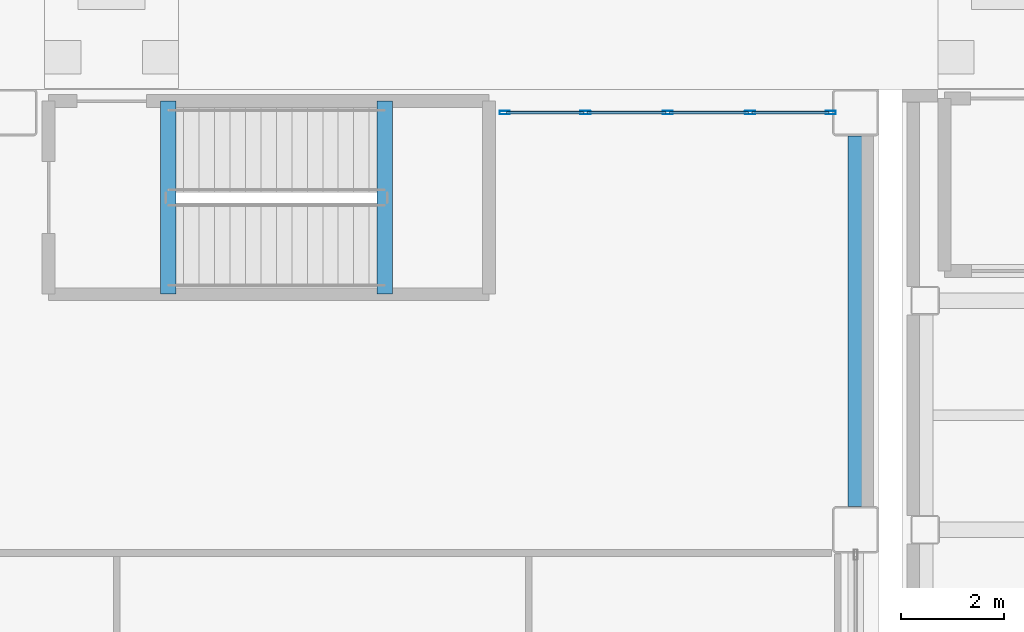
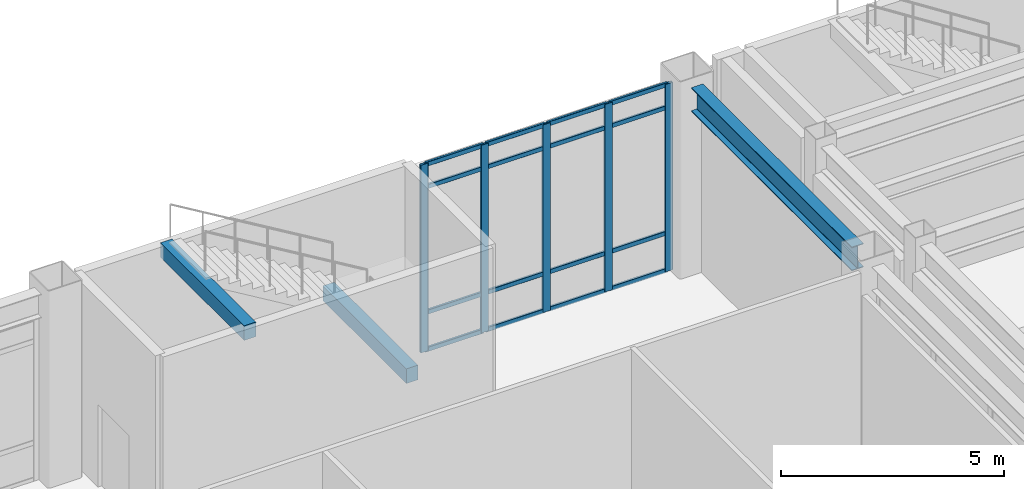
# One storey, part 69 of 165: 21 members, 3 beams, 1 element without a shape of its own.
"""IFC4 building model written with IfcOpenShell, lengths in metres."""

from ifc_helpers import new_model, si_unit, direction, frame, origin, origin_2d, place, context, subcontext, project, spatial, rectangle, hollow_rectangle, i_section, extrude, material, layer, layer_set, material_profile, profile_set, type_object, element, aggregate, save


model = new_model("IFC4")

# Units and contexts
model_context = context("Model", 3, precision=1e-05, world=origin(), true_north=direction((0.0, 1.0)))
body_context = subcontext(model_context, "Body", "Model", "MODEL_VIEW")
ifc_project = project(units=[si_unit("LENGTHUNIT", "METRE"), si_unit("AREAUNIT", "SQUARE_METRE"), si_unit("VOLUMEUNIT", "CUBIC_METRE"), si_unit("PLANEANGLEUNIT", "RADIAN"), si_unit("MASSUNIT", "GRAM", prefix="KILO")], contexts=[model_context])

# Site, building, storey
site_placement = place(None, origin())
site = spatial("IfcSite", under=ifc_project, at=site_placement, CompositionType="ELEMENT")
building_placement = place(site_placement, origin())
building = spatial("IfcBuilding", under=site, at=building_placement, Name="Kazehara Bluff Congress Hotel", CompositionType="ELEMENT")
storey_placement = place(building_placement, origin())
storey = spatial("IfcBuildingStorey", under=building, at=storey_placement, Name="L00", CompositionType="ELEMENT", Elevation=0.0)

# Curtain wall, members
ifc_material_1 = material(Name="Anodised aluminium", Category="aluminium")
ifc_layer = layer(ifc_material_1, 0.159912109375)
ifc_layer_set = layer_set([ifc_layer], Name="Anodised aluminium")
curtain_wall_type = type_object("IfcCurtainWallType", Name="TP-CW-06", PredefinedType="NOTDEFINED", material=ifc_layer_set)
curtain_wall_placement = place(storey_placement, origin())
curtain_wall = element("IfcCurtainWall", 1, at=curtain_wall_placement, inside=storey, type_object=curtain_wall_type, Name="L00 curtain wall CW-06 CW-V1-L00-Y11355-5150", PredefinedType="NOTDEFINED")
ifc_material_2 = material(Name="Anodised aluminium", Category="aluminium")
ifc_material_profile_1 = material_profile(ifc_material_2, hollow_rectangle(XDim=0.070068359375, YDim=0.199951171875, WallThickness=0.0048828125, InnerFilletRadius=0.0048828125, OuterFilletRadius=0.010009765625, at=origin_2d()))
ifc_profile_set_1 = profile_set([ifc_material_profile_1], Name="Anodised aluminium")
member_type_1 = type_object("IfcMemberType", Name="TP-CWM-03", PredefinedType="MULLION", material=ifc_profile_set_1)
member_1_placement = place(storey_placement, frame((51.534912109375, 113.550048828125, 0.0), z_axis=(0.0, 0.0, 1.0), x_axis=(0.0, 1.0, 0.0)))
member_1 = element("IfcMember", 2, at=member_1_placement, type_object=member_type_1, Name="CW-06 mullion 1", PredefinedType="MULLION", context=body_context, shape_type="SweptSolid", body=[
    extrude(hollow_rectangle(XDim=0.070068359375, YDim=0.199951171875, WallThickness=0.0048828125, InnerFilletRadius=0.0048828125, OuterFilletRadius=0.010009765625, at=origin_2d()), origin(), (0.0, 0.0, 1.0), 5.135009765625),
])
member_2_placement = place(storey_placement, frame((53.10009765625, 113.550048828125, 0.0), z_axis=(0.0, 0.0, 1.0), x_axis=(0.0, 1.0, 0.0)))
member_2 = element("IfcMember", 3, at=member_2_placement, type_object=member_type_1, Name="CW-06 mullion 2", PredefinedType="MULLION", context=body_context, shape_type="SweptSolid", body=[
    extrude(hollow_rectangle(XDim=0.070068359375, YDim=0.199951171875, WallThickness=0.0048828125, InnerFilletRadius=0.0048828125, OuterFilletRadius=0.010009765625, at=origin_2d()), origin(), (0.0, 0.0, 1.0), 5.135009765625),
])
member_3_placement = place(storey_placement, frame((54.699951171875, 113.550048828125, 0.0), z_axis=(0.0, 0.0, 1.0), x_axis=(0.0, 1.0, 0.0)))
member_3 = element("IfcMember", 4, at=member_3_placement, type_object=member_type_1, Name="CW-06 mullion 3", PredefinedType="MULLION", context=body_context, shape_type="SweptSolid", body=[
    extrude(hollow_rectangle(XDim=0.070068359375, YDim=0.199951171875, WallThickness=0.0048828125, InnerFilletRadius=0.0048828125, OuterFilletRadius=0.010009765625, at=origin_2d()), origin(), (0.0, 0.0, 1.0), 5.135009765625),
])
member_4_placement = place(storey_placement, frame((56.300048828125, 113.550048828125, 0.0), z_axis=(0.0, 0.0, 1.0), x_axis=(0.0, 1.0, 0.0)))
member_4 = element("IfcMember", 5, at=member_4_placement, type_object=member_type_1, Name="CW-06 mullion 4", PredefinedType="MULLION", context=body_context, shape_type="SweptSolid", body=[
    extrude(hollow_rectangle(XDim=0.070068359375, YDim=0.199951171875, WallThickness=0.0048828125, InnerFilletRadius=0.0048828125, OuterFilletRadius=0.010009765625, at=origin_2d()), origin(), (0.0, 0.0, 1.0), 5.135009765625),
])
member_5_placement = place(storey_placement, frame((57.864990234375, 113.550048828125, 0.0), z_axis=(0.0, 0.0, 1.0), x_axis=(0.0, 1.0, 0.0)))
member_5 = element("IfcMember", 6, at=member_5_placement, type_object=member_type_1, Name="CW-06 mullion 5", PredefinedType="MULLION", context=body_context, shape_type="SweptSolid", body=[
    extrude(hollow_rectangle(XDim=0.070068359375, YDim=0.199951171875, WallThickness=0.0048828125, InnerFilletRadius=0.0048828125, OuterFilletRadius=0.010009765625, at=origin_2d()), origin(), (0.0, 0.0, 1.0), 5.135009765625),
])
ifc_material_3 = material(Name="Anodised aluminium", Category="aluminium")
ifc_material_profile_2 = material_profile(ifc_material_3, hollow_rectangle(XDim=0.06005859375, YDim=0.1201171875, WallThickness=0.00390625, InnerFilletRadius=0.00390625, OuterFilletRadius=0.008056640625, at=origin_2d()))
ifc_profile_set_2 = profile_set([ifc_material_profile_2], Name="Anodised aluminium")
member_type_2 = type_object("IfcMemberType", Name="TP-CWT-01", PredefinedType="USERDEFINED", material=ifc_profile_set_2)
member_6_placement = place(storey_placement, frame((51.570068359375, 113.550048828125, 0.030029296875), z_axis=(1.0, 0.0, 0.0), x_axis=(0.0, 1.0, 0.0)))
member_6 = element("IfcMember", 7, at=member_6_placement, type_object=member_type_2, Name="CW-06 transom 1.1", ObjectType="TRANSOM", PredefinedType="USERDEFINED", context=body_context, shape_type="SweptSolid", body=[
    extrude(hollow_rectangle(XDim=0.06005859375, YDim=0.1201171875, WallThickness=0.00390625, InnerFilletRadius=0.00390625, OuterFilletRadius=0.008056640625, at=origin_2d()), origin(), (0.0, 0.0, 1.0), 1.494873046875),
])
member_7_placement = place(storey_placement, frame((51.570068359375, 113.550048828125, 1.050048828125), z_axis=(1.0, 0.0, 0.0), x_axis=(0.0, 1.0, 0.0)))
member_7 = element("IfcMember", 8, at=member_7_placement, type_object=member_type_2, Name="CW-06 transom 1.2", ObjectType="TRANSOM", PredefinedType="USERDEFINED", context=body_context, shape_type="SweptSolid", body=[
    extrude(hollow_rectangle(XDim=0.06005859375, YDim=0.1201171875, WallThickness=0.00390625, InnerFilletRadius=0.00390625, OuterFilletRadius=0.008056640625, at=origin_2d()), origin(), (0.0, 0.0, 1.0), 1.494873046875),
])
member_8_placement = place(storey_placement, frame((51.570068359375, 113.550048828125, 4.485107421875), z_axis=(1.0, 0.0, 0.0), x_axis=(0.0, 1.0, 0.0)))
member_8 = element("IfcMember", 9, at=member_8_placement, type_object=member_type_2, Name="CW-06 transom 1.3", ObjectType="TRANSOM", PredefinedType="USERDEFINED", context=body_context, shape_type="SweptSolid", body=[
    extrude(hollow_rectangle(XDim=0.06005859375, YDim=0.1201171875, WallThickness=0.00390625, InnerFilletRadius=0.00390625, OuterFilletRadius=0.008056640625, at=origin_2d()), origin(), (0.0, 0.0, 1.0), 1.494873046875),
])
member_9_placement = place(storey_placement, frame((51.570068359375, 113.550048828125, 5.10498046875), z_axis=(1.0, 0.0, 0.0), x_axis=(0.0, 1.0, 0.0)))
member_9 = element("IfcMember", 10, at=member_9_placement, type_object=member_type_2, Name="CW-06 transom 1.4", ObjectType="TRANSOM", PredefinedType="USERDEFINED", context=body_context, shape_type="SweptSolid", body=[
    extrude(hollow_rectangle(XDim=0.06005859375, YDim=0.1201171875, WallThickness=0.00390625, InnerFilletRadius=0.00390625, OuterFilletRadius=0.008056640625, at=origin_2d()), origin(), (0.0, 0.0, 1.0), 1.494873046875),
])
member_10_placement = place(storey_placement, frame((53.135009765625, 113.550048828125, 0.030029296875), z_axis=(1.0, 0.0, 0.0), x_axis=(0.0, 1.0, 0.0)))
member_10 = element("IfcMember", 11, at=member_10_placement, type_object=member_type_2, Name="CW-06 transom 2.1", ObjectType="TRANSOM", PredefinedType="USERDEFINED", context=body_context, shape_type="SweptSolid", body=[
    extrude(hollow_rectangle(XDim=0.06005859375, YDim=0.1201171875, WallThickness=0.00390625, InnerFilletRadius=0.00390625, OuterFilletRadius=0.008056640625, at=origin_2d()), origin(), (0.0, 0.0, 1.0), 1.530029296875),
])
member_11_placement = place(storey_placement, frame((53.135009765625, 113.550048828125, 1.050048828125), z_axis=(1.0, 0.0, 0.0), x_axis=(0.0, 1.0, 0.0)))
member_11 = element("IfcMember", 12, at=member_11_placement, type_object=member_type_2, Name="CW-06 transom 2.2", ObjectType="TRANSOM", PredefinedType="USERDEFINED", context=body_context, shape_type="SweptSolid", body=[
    extrude(hollow_rectangle(XDim=0.06005859375, YDim=0.1201171875, WallThickness=0.00390625, InnerFilletRadius=0.00390625, OuterFilletRadius=0.008056640625, at=origin_2d()), origin(), (0.0, 0.0, 1.0), 1.530029296875),
])
member_12_placement = place(storey_placement, frame((53.135009765625, 113.550048828125, 4.485107421875), z_axis=(1.0, 0.0, 0.0), x_axis=(0.0, 1.0, 0.0)))
member_12 = element("IfcMember", 13, at=member_12_placement, type_object=member_type_2, Name="CW-06 transom 2.3", ObjectType="TRANSOM", PredefinedType="USERDEFINED", context=body_context, shape_type="SweptSolid", body=[
    extrude(hollow_rectangle(XDim=0.06005859375, YDim=0.1201171875, WallThickness=0.00390625, InnerFilletRadius=0.00390625, OuterFilletRadius=0.008056640625, at=origin_2d()), origin(), (0.0, 0.0, 1.0), 1.530029296875),
])
member_13_placement = place(storey_placement, frame((53.135009765625, 113.550048828125, 5.10498046875), z_axis=(1.0, 0.0, 0.0), x_axis=(0.0, 1.0, 0.0)))
member_13 = element("IfcMember", 14, at=member_13_placement, type_object=member_type_2, Name="CW-06 transom 2.4", ObjectType="TRANSOM", PredefinedType="USERDEFINED", context=body_context, shape_type="SweptSolid", body=[
    extrude(hollow_rectangle(XDim=0.06005859375, YDim=0.1201171875, WallThickness=0.00390625, InnerFilletRadius=0.00390625, OuterFilletRadius=0.008056640625, at=origin_2d()), origin(), (0.0, 0.0, 1.0), 1.530029296875),
])
member_14_placement = place(storey_placement, frame((54.735107421875, 113.550048828125, 0.030029296875), z_axis=(1.0, 0.0, 0.0), x_axis=(0.0, 1.0, 0.0)))
member_14 = element("IfcMember", 15, at=member_14_placement, type_object=member_type_2, Name="CW-06 transom 3.1", ObjectType="TRANSOM", PredefinedType="USERDEFINED", context=body_context, shape_type="SweptSolid", body=[
    extrude(hollow_rectangle(XDim=0.06005859375, YDim=0.1201171875, WallThickness=0.00390625, InnerFilletRadius=0.00390625, OuterFilletRadius=0.008056640625, at=origin_2d()), origin(), (0.0, 0.0, 1.0), 1.52978515625),
])
member_15_placement = place(storey_placement, frame((54.735107421875, 113.550048828125, 1.050048828125), z_axis=(1.0, 0.0, 0.0), x_axis=(0.0, 1.0, 0.0)))
member_15 = element("IfcMember", 16, at=member_15_placement, type_object=member_type_2, Name="CW-06 transom 3.2", ObjectType="TRANSOM", PredefinedType="USERDEFINED", context=body_context, shape_type="SweptSolid", body=[
    extrude(hollow_rectangle(XDim=0.06005859375, YDim=0.1201171875, WallThickness=0.00390625, InnerFilletRadius=0.00390625, OuterFilletRadius=0.008056640625, at=origin_2d()), origin(), (0.0, 0.0, 1.0), 1.52978515625),
])
member_16_placement = place(storey_placement, frame((54.735107421875, 113.550048828125, 4.485107421875), z_axis=(1.0, 0.0, 0.0), x_axis=(0.0, 1.0, 0.0)))
member_16 = element("IfcMember", 17, at=member_16_placement, type_object=member_type_2, Name="CW-06 transom 3.3", ObjectType="TRANSOM", PredefinedType="USERDEFINED", context=body_context, shape_type="SweptSolid", body=[
    extrude(hollow_rectangle(XDim=0.06005859375, YDim=0.1201171875, WallThickness=0.00390625, InnerFilletRadius=0.00390625, OuterFilletRadius=0.008056640625, at=origin_2d()), origin(), (0.0, 0.0, 1.0), 1.52978515625),
])
member_17_placement = place(storey_placement, frame((54.735107421875, 113.550048828125, 5.10498046875), z_axis=(1.0, 0.0, 0.0), x_axis=(0.0, 1.0, 0.0)))
member_17 = element("IfcMember", 18, at=member_17_placement, type_object=member_type_2, Name="CW-06 transom 3.4", ObjectType="TRANSOM", PredefinedType="USERDEFINED", context=body_context, shape_type="SweptSolid", body=[
    extrude(hollow_rectangle(XDim=0.06005859375, YDim=0.1201171875, WallThickness=0.00390625, InnerFilletRadius=0.00390625, OuterFilletRadius=0.008056640625, at=origin_2d()), origin(), (0.0, 0.0, 1.0), 1.52978515625),
])
member_18_placement = place(storey_placement, frame((56.3349609375, 113.550048828125, 0.030029296875), z_axis=(1.0, 0.0, 0.0), x_axis=(0.0, 1.0, 0.0)))
member_18 = element("IfcMember", 19, at=member_18_placement, type_object=member_type_2, Name="CW-06 transom 4.1", ObjectType="TRANSOM", PredefinedType="USERDEFINED", context=body_context, shape_type="SweptSolid", body=[
    extrude(hollow_rectangle(XDim=0.06005859375, YDim=0.1201171875, WallThickness=0.00390625, InnerFilletRadius=0.00390625, OuterFilletRadius=0.008056640625, at=origin_2d()), origin(), (0.0, 0.0, 1.0), 1.4951171875),
])
member_19_placement = place(storey_placement, frame((56.3349609375, 113.550048828125, 1.050048828125), z_axis=(1.0, 0.0, 0.0), x_axis=(0.0, 1.0, 0.0)))
member_19 = element("IfcMember", 20, at=member_19_placement, type_object=member_type_2, Name="CW-06 transom 4.2", ObjectType="TRANSOM", PredefinedType="USERDEFINED", context=body_context, shape_type="SweptSolid", body=[
    extrude(hollow_rectangle(XDim=0.06005859375, YDim=0.1201171875, WallThickness=0.00390625, InnerFilletRadius=0.00390625, OuterFilletRadius=0.008056640625, at=origin_2d()), origin(), (0.0, 0.0, 1.0), 1.4951171875),
])
member_20_placement = place(storey_placement, frame((56.3349609375, 113.550048828125, 4.485107421875), z_axis=(1.0, 0.0, 0.0), x_axis=(0.0, 1.0, 0.0)))
member_20 = element("IfcMember", 21, at=member_20_placement, type_object=member_type_2, Name="CW-06 transom 4.3", ObjectType="TRANSOM", PredefinedType="USERDEFINED", context=body_context, shape_type="SweptSolid", body=[
    extrude(hollow_rectangle(XDim=0.06005859375, YDim=0.1201171875, WallThickness=0.00390625, InnerFilletRadius=0.00390625, OuterFilletRadius=0.008056640625, at=origin_2d()), origin(), (0.0, 0.0, 1.0), 1.4951171875),
])
member_21_placement = place(storey_placement, frame((56.3349609375, 113.550048828125, 5.10498046875), z_axis=(1.0, 0.0, 0.0), x_axis=(0.0, 1.0, 0.0)))
member_21 = element("IfcMember", 22, at=member_21_placement, type_object=member_type_2, Name="CW-06 transom 4.4", ObjectType="TRANSOM", PredefinedType="USERDEFINED", context=body_context, shape_type="SweptSolid", body=[
    extrude(hollow_rectangle(XDim=0.06005859375, YDim=0.1201171875, WallThickness=0.00390625, InnerFilletRadius=0.00390625, OuterFilletRadius=0.008056640625, at=origin_2d()), origin(), (0.0, 0.0, 1.0), 1.4951171875),
])
aggregate(curtain_wall, [member_1, member_2, member_3, member_4, member_5, member_6, member_7, member_8, member_9, member_10, member_11, member_12, member_13, member_14, member_15, member_16, member_17, member_18, member_19, member_20, member_21])

# Beams
ifc_material_4 = material(Name="Steel SN490B", Category="steel")
ifc_material_profile_3 = material_profile(ifc_material_4, i_section(OverallWidth=0.300048828125, OverallDepth=0.64990234375, WebThickness=0.011962890625, FlangeThickness=0.02001953125, FilletRadius=0.012939453125, at=origin_2d()))
ifc_profile_set_3 = profile_set([ifc_material_profile_3], Name="Steel SN490B")
beam_type_1 = type_object("IfcBeamType", Name="TP-G-03", PredefinedType="BEAM", material=ifc_profile_set_3)
beam_placement = place(storey_placement, frame((58.35009765625, 105.89990234375, 4.824951171875), z_axis=(0.0, 1.0, 0.0), x_axis=(-1.0, 0.0, 0.0)))
element("IfcBeam", 23, at=beam_placement, inside=storey, type_object=beam_type_1, Name="L00 girder G-03 24", PredefinedType="BEAM", context=body_context, shape_type="SweptSolid", body=[
    extrude(i_section(OverallWidth=0.300048828125, OverallDepth=0.64990234375, WebThickness=0.011962890625, FlangeThickness=0.02001953125, FilletRadius=0.012939453125, at=origin_2d()), origin(), (0.0, 0.0, 1.0), 7.2001953125),
])
ifc_material_5 = material(Name="Concrete C40/50", Category="concrete")
ifc_material_profile_4 = material_profile(ifc_material_5, rectangle(XDim=0.300048828125, YDim=0.39990234375, at=origin_2d()))
ifc_profile_set_4 = profile_set([ifc_material_profile_4], Name="Concrete C40/50")
beam_type_2 = type_object("IfcBeamType", Name="TP-LN-02", PredefinedType="LINTEL", material=ifc_profile_set_4)
for number, where, z_axis, x_axis, name in (
    (24, (49.199951171875, 110.02490234375, 2.320068359375), (0.0, 1.0, 0.0), (-1.0, 0.0, 0.0), "L00 ST-02 half-landing support beam 1"),
    (25, (45.0, 110.02490234375, 4.969970703125), (0.0, 1.0, 0.0), (-1.0, 0.0, 0.0), "L01 ST-02 stairwell trimmer beam"),
):
    element("IfcBeam", number, at=place(storey_placement, frame(where, z_axis=z_axis, x_axis=x_axis)), inside=storey, type_object=beam_type_2, Name=name, PredefinedType="LINTEL", context=body_context, shape_type="SweptSolid", body=[
        extrude(rectangle(XDim=0.300048828125, YDim=0.39990234375, at=origin_2d()), origin(), (0.0, 0.0, 1.0), 3.75),
    ])

save(model, "model.ifc")
